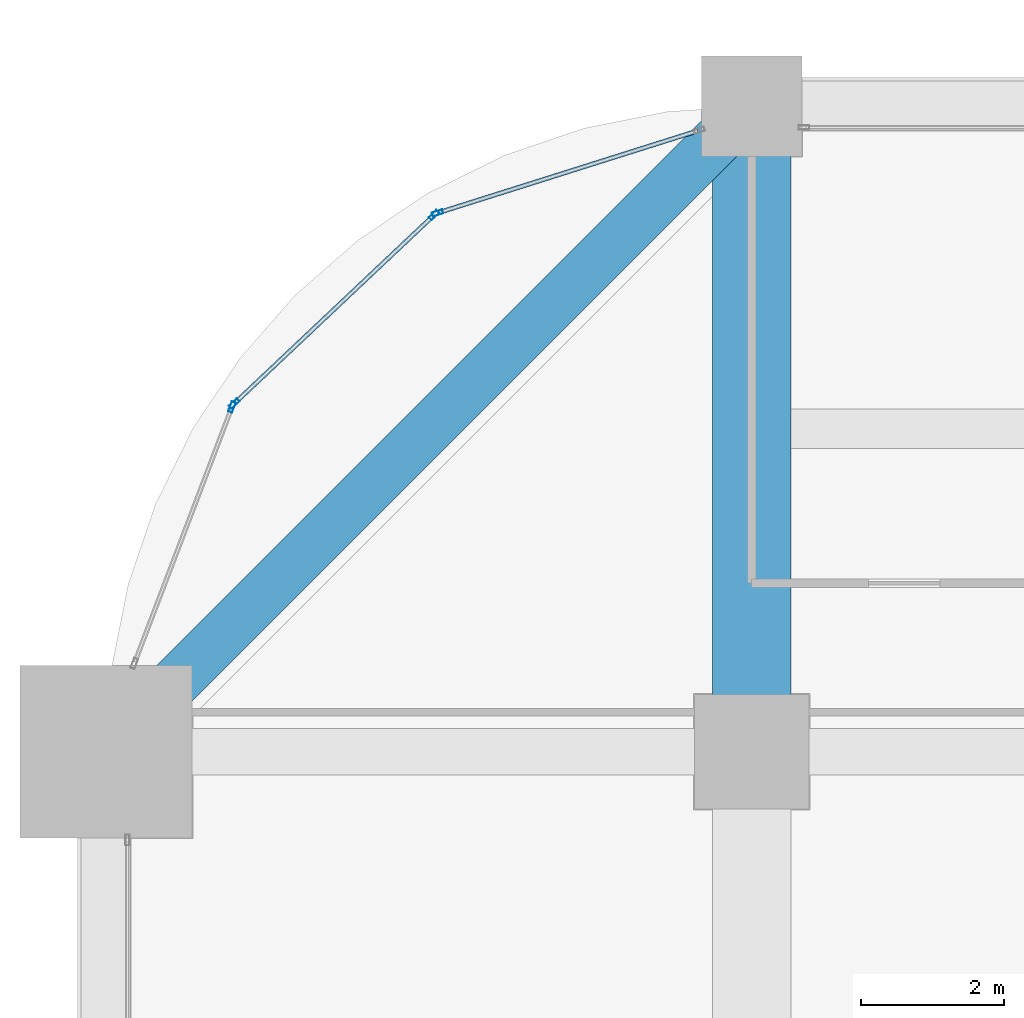
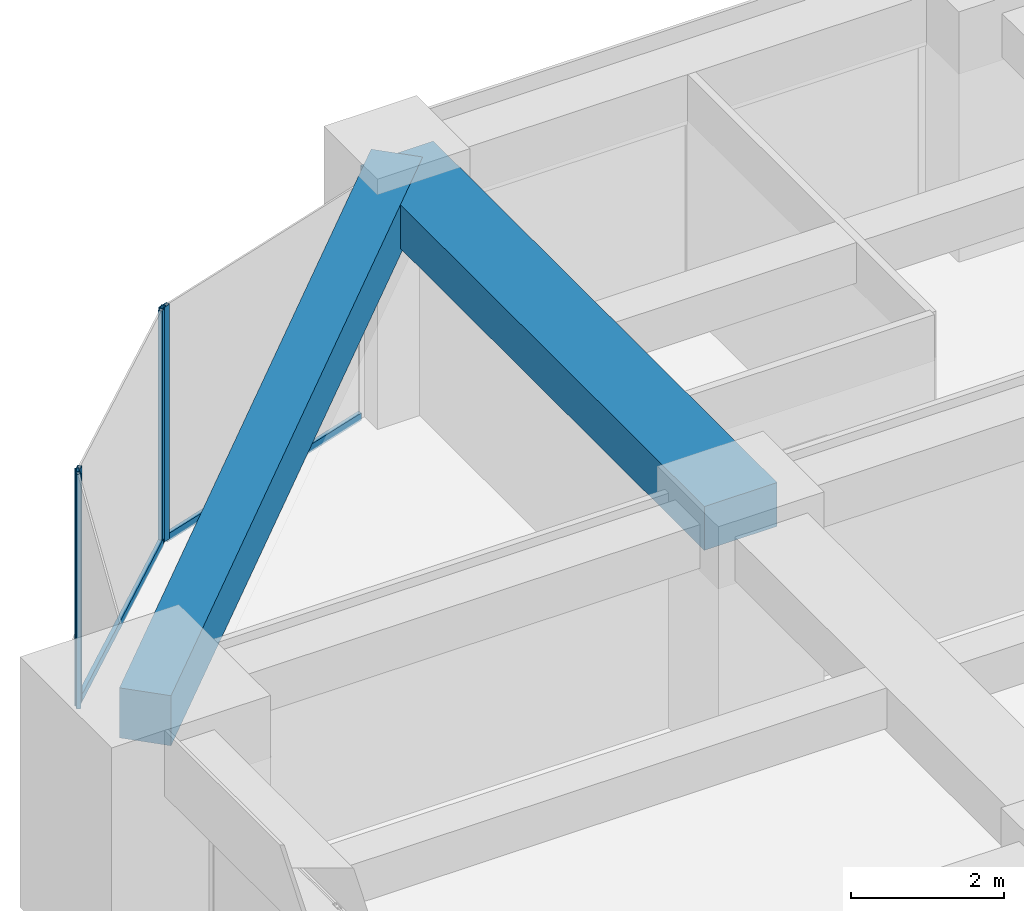
# One storey, part 22 of 33: 6 members, 2 beams, 3 elements without a shape of their own.
"""IFC4 building model written with IfcOpenShell, lengths in metres."""

import ifcopenshell
import ifcopenshell.guid

model = None  # the IFC model being written
_history = None  # IfcOwnerHistory: only IFC2X3 demands one
_inside = {}  # id of a spatial element -> (the spatial element, [elements in it])
_under = {}  # id of a project, library or spatial element -> (it, [spatial elements below it])
_declared = {}  # id of a project -> (the project, [libraries it declares])
_typed = {}  # id of a type object -> (the type object, [elements of that type])
_made_of = {}  # id of a material, layer set ... -> (it, [elements and type objects made of it])


def new_model(schema):
    """Start an empty IFC model of exactly this schema.

    Asked for "IFC4X3", IfcOpenShell would pick the latest addendum, in which some entities
    have other attributes; the version numbers below select the first issue.
    IFC2X3 requires an IfcOwnerHistory on every rooted entity: one is made here for all.
    """
    global model, _history
    if schema == "IFC4X3":
        model = ifcopenshell.file(schema_version=(4, 3, 0, 0))
    else:
        model = ifcopenshell.file(schema=schema)
    _inside.clear()
    _under.clear()
    _declared.clear()
    _typed.clear()
    _made_of.clear()
    _history = None
    if model.schema == "IFC2X3":
        org = make("IfcOrganization", Name="unknown")
        user = make(
            "IfcPersonAndOrganization",
            ThePerson=make("IfcPerson", FamilyName="unknown"),
            TheOrganization=org,
        )
        app = make(
            "IfcApplication",
            ApplicationDeveloper=org,
            Version="unknown",
            ApplicationFullName="unknown",
            ApplicationIdentifier="unknown",
        )
        _history = make(
            "IfcOwnerHistory",
            OwningUser=user,
            OwningApplication=app,
            ChangeAction="ADDED",
            CreationDate=0,
        )
    return model


def make(cls, **values):
    """One entity of the class cls with the attributes given. An attribute that is None is left unset."""
    return model.create_entity(
        cls, **{name: value for name, value in values.items() if value is not None}
    )


def rooted(cls, **values):
    """An entity with a GlobalId (a new one), such as an element, a storey or a relation."""
    return make(cls, GlobalId=ifcopenshell.guid.new(), OwnerHistory=_history, **values)


def si_unit(unit_type, name, prefix=None):
    """IfcSIUnit, for example si_unit("LENGTHUNIT", "METRE", prefix="MILLI")."""
    return make("IfcSIUnit", UnitType=unit_type, Prefix=prefix, Name=name)


def assignment(units):
    """IfcUnitAssignment: the units of a project."""
    return None if units is None else make("IfcUnitAssignment", Units=units)


def point(xyz):
    """IfcCartesianPoint."""
    return None if xyz is None else make("IfcCartesianPoint", Coordinates=xyz)


def direction(xyz):
    """IfcDirection."""
    return None if xyz is None else make("IfcDirection", DirectionRatios=xyz)


def frame(location, z_axis=None, x_axis=None):
    """IfcAxis2Placement3D, a coordinate frame: its origin and axes. An axis left out is left unset."""
    return make(
        "IfcAxis2Placement3D",
        Location=point(location),
        Axis=direction(z_axis),
        RefDirection=direction(x_axis),
    )


def frame_2d(location, x_axis=None):
    """IfcAxis2Placement2D, a coordinate frame in the plane: its origin and x axis."""
    return make(
        "IfcAxis2Placement2D", Location=point(location), RefDirection=direction(x_axis)
    )


def origin():
    """The frame at (0, 0, 0) with its axes left unset."""
    return frame((0.0, 0.0, 0.0))


def origin_2d():
    """The frame at (0, 0) in the plane with its x axis left unset."""
    return frame_2d((0.0, 0.0))


def place(relative_to, where):
    """IfcLocalPlacement: puts the frame where relative to a parent placement (None: the world)."""
    return make(
        "IfcLocalPlacement", PlacementRelTo=relative_to, RelativePlacement=where
    )


def context(
    kind, dimensions, precision=None, world=None, true_north=None, identifier=None
):
    """IfcGeometricRepresentationContext, for example the 3D "Model" context."""
    return make(
        "IfcGeometricRepresentationContext",
        ContextIdentifier=identifier,
        ContextType=kind,
        CoordinateSpaceDimension=dimensions,
        Precision=precision,
        WorldCoordinateSystem=world,
        TrueNorth=true_north,
    )


def subcontext(parent, identifier, kind, view, scale=None):
    """IfcGeometricRepresentationSubContext, for example "Body" below "Model"."""
    return make(
        "IfcGeometricRepresentationSubContext",
        ContextIdentifier=identifier,
        ContextType=kind,
        ParentContext=parent,
        TargetScale=scale,
        TargetView=view,
    )


def project(units=None, contexts=None):
    """IfcProject with its units and contexts."""
    return rooted(
        "IfcProject",
        Name="project",
        RepresentationContexts=contexts,
        UnitsInContext=assignment(units),
    )


def spatial(cls, under=None, at=None, **own):
    """A site, building, storey or space (cls), placed at a placement, below another one or the project."""
    s = rooted(cls, ObjectPlacement=at, **own)
    if under is not None:
        _under.setdefault(under.id(), (under, []))[1].append(s)
    return s


def profile(cls, at=None, kind="AREA", **sizes):
    """A parametric profile (cls). Its sizes go by their IFC names, for example OverallWidth=200.0."""
    return make(cls, ProfileType=kind, Position=at, **sizes)


def rectangle(**sizes):
    """IfcRectangleProfileDef."""
    return profile("IfcRectangleProfileDef", **sizes)


def hollow_rectangle(**sizes):
    """IfcRectangleHollowProfileDef."""
    return profile("IfcRectangleHollowProfileDef", **sizes)


def extrude(swept, where, along, depth):
    """IfcExtrudedAreaSolid: the profile swept, set in the frame where, extruded along a direction by depth."""
    return make(
        "IfcExtrudedAreaSolid",
        SweptArea=swept,
        Position=where,
        ExtrudedDirection=direction(along),
        Depth=depth,
    )


def shape(context_of_items, identifier, shape_type, items):
    """IfcShapeRepresentation: the items that make up one representation, for example the "Body"."""
    return make(
        "IfcShapeRepresentation",
        ContextOfItems=context_of_items,
        RepresentationIdentifier=identifier,
        RepresentationType=shape_type,
        Items=items,
    )


def material(Name=None, Category=None):
    """IfcMaterial."""
    return make("IfcMaterial", Name=Name, Category=Category)


def material_profile(
    of_material, cross_section, Name=None, Category=None, Priority=None
):
    """IfcMaterialProfile: a cross section and its material."""
    return make(
        "IfcMaterialProfile",
        Name=Name,
        Material=of_material,
        Profile=cross_section,
        Priority=Priority,
        Category=Category,
    )


def profile_set(profiles, Name=None, composite=None):
    """IfcMaterialProfileSet."""
    return make(
        "IfcMaterialProfileSet",
        Name=Name,
        MaterialProfiles=profiles,
        CompositeProfile=composite,
    )


def made_of(thing, what):
    """Note that an element or type object is made of a material, layer set ...; save() writes the relation."""
    if what is not None:
        _made_of.setdefault(what.id(), (what, []))[1].append(thing)
    return thing


def type_object(cls, material=None, **own):
    """A type object (cls), such as IfcWallType, which elements share."""
    return made_of(rooted(cls, **own), material)


def element(
    cls,
    number,
    at=None,
    inside=None,
    cuts=None,
    type_object=None,
    material=None,
    context=None,
    identifier="Body",
    shape_type=None,
    held_by="IfcProductDefinitionShape",
    body=None,
    shapes=None,
    **own,
):
    """One element of the class cls, such as IfcWall. Its Tag is "e" and its number.

    at: its placement. inside: the storey or other place that contains it. cuts: it is an
    opening in that element (IfcRelVoidsElement). A single representation is given by context,
    identifier, shape_type and body (its items); several are given by shapes. held_by: the class
    of the entity that holds the representations. save() writes the other relations.
    """
    e = rooted(cls, Tag="e%d" % number, ObjectPlacement=at, **own)
    if body is not None:
        shapes = [shape(context, identifier, shape_type, body)]
    if shapes is not None:
        e.Representation = make(held_by, Representations=shapes)
    if inside is not None:
        _inside.setdefault(inside.id(), (inside, []))[1].append(e)
    if cuts is not None:
        rooted(
            "IfcRelVoidsElement", RelatingBuildingElement=cuts, RelatedOpeningElement=e
        )
    if type_object is not None:
        _typed.setdefault(type_object.id(), (type_object, []))[1].append(e)
    return made_of(e, material)


def aggregate(whole, parts):
    """IfcRelAggregates: a whole, such as a stair, and the parts it consists of."""
    return rooted("IfcRelAggregates", RelatingObject=whole, RelatedObjects=parts)


def save(model, path):
    """Write the relations noted so far, then the file.

    IfcRelAggregates (storeys below a building ...), IfcRelContainedInSpatialStructure (elements
    in a storey), IfcRelDefinesByType, IfcRelAssociatesMaterial and IfcRelDeclares: one each for
    every whole, place, type object, material and project.
    """
    for whole, parts in _under.values():
        aggregate(whole, parts)
    for where, things in _inside.values():
        rooted(
            "IfcRelContainedInSpatialStructure",
            RelatedElements=things,
            RelatingStructure=where,
        )
    for kind, things in _typed.values():
        rooted("IfcRelDefinesByType", RelatedObjects=things, RelatingType=kind)
    for what, things in _made_of.values():
        rooted("IfcRelAssociatesMaterial", RelatedObjects=things, RelatingMaterial=what)
    for by, libraries in _declared.values():
        rooted("IfcRelDeclares", RelatingContext=by, RelatedDefinitions=libraries)
    model.write(path)


model = new_model("IFC4")

# Units and contexts
model_context = context("Model", 3, precision=1e-05, world=origin(), true_north=direction((0.0, 1.0)))
body_context = subcontext(model_context, "Body", "Model", "MODEL_VIEW")
ifc_project = project(units=[si_unit("LENGTHUNIT", "METRE"), si_unit("AREAUNIT", "SQUARE_METRE"), si_unit("VOLUMEUNIT", "CUBIC_METRE"), si_unit("PLANEANGLEUNIT", "RADIAN"), si_unit("MASSUNIT", "GRAM", prefix="KILO")], contexts=[model_context])

# Site, building, storey
site_placement = place(None, origin())
site = spatial("IfcSite", under=ifc_project, at=site_placement, CompositionType="ELEMENT")
building_placement = place(site_placement, origin())
building = spatial("IfcBuilding", under=site, at=building_placement, Name="Zorevar Civic Tower", CompositionType="ELEMENT")
storey_placement = place(building_placement, frame((0.0, 0.0, 194.199951171875)))
storey = spatial("IfcBuildingStorey", under=building, at=storey_placement, Name="L47", CompositionType="ELEMENT", Elevation=194.199951171875)

# Beam
ifc_material_1 = material(Name="Concrete C50/60", Category="concrete")
ifc_material_profile_1 = material_profile(ifc_material_1, rectangle(XDim=1.10009765625, YDim=0.699951171875, at=origin_2d()), Name="RC 1100x700")
ifc_profile_set_1 = profile_set([ifc_material_profile_1], Name="Concrete C50/60")
beam_type_1 = type_object("IfcBeamType", Name="Beam RC 1100x700", PredefinedType="BEAM", material=ifc_profile_set_1)
beam_1_placement = place(storey_placement, frame((9.0, 36.0, 3.400146484375), z_axis=(0.0, 1.0, 0.0), x_axis=(-1.0, 0.0, 0.0)))
element("IfcBeam", 1, at=beam_1_placement, inside=storey, type_object=beam_type_1, Name="Girder L48", PredefinedType="BEAM", context=body_context, shape_type="SweptSolid", body=[
    extrude(rectangle(XDim=1.10009765625, YDim=0.699951171875, at=origin_2d()), origin(), (0.0, 0.0, 1.0), 9.0),
])

# Curtain wall, member
ifc_material_2 = material(Name="Dark grey solar-control glass in black aluminium frame", Category="aluminium")
curtain_wall_type = type_object("IfcCurtainWallType", Name="Curtain wall CW4 high zone", PredefinedType="NOTDEFINED", material=ifc_material_2)
curtain_wall_1_placement = place(storey_placement, origin())
curtain_wall_1 = element("IfcCurtainWall", 2, at=curtain_wall_1_placement, inside=storey, type_object=curtain_wall_type, Name="CW4 L47", PredefinedType="NOTDEFINED")
ifc_material_3 = material(Name="Aluminium, black anodised", Category="aluminium")
ifc_material_profile_2 = material_profile(ifc_material_3, hollow_rectangle(XDim=0.06005859375, YDim=0.14990234375, WallThickness=0.00390625, at=origin_2d()), Name="AL 150x60x4")
ifc_profile_set_2 = profile_set([ifc_material_profile_2], Name="Aluminium, black anodised")
member_type_1 = type_object("IfcMemberType", Name="CW4 mullion AL 150x60x4", PredefinedType="MULLION", material=ifc_profile_set_2)
member_1_placement = place(storey_placement, frame((4.62158203125, 43.51025390625, 0.0), z_axis=(0.0, 0.0, 1.0), x_axis=(0.301108296077, -0.953589950678, 0.0)))
member_1 = element("IfcMember", 3, at=member_1_placement, type_object=member_type_1, Name="CW4 mullion 2", PredefinedType="MULLION", context=body_context, shape_type="SweptSolid", body=[
    extrude(hollow_rectangle(XDim=0.06005859375, YDim=0.14990234375, WallThickness=0.00390625, at=origin_2d()), origin(), (0.0, 0.0, 1.0), 3.75),
])

# Curtain wall, members
curtain_wall_2_placement = place(storey_placement, origin())
curtain_wall_2 = element("IfcCurtainWall", 4, at=curtain_wall_2_placement, inside=storey, type_object=curtain_wall_type, Name="CW4 L47", PredefinedType="NOTDEFINED")
member_2_placement = place(storey_placement, frame((4.5712890625, 43.480712890625, 0.0), z_axis=(0.0, 0.0, 1.0), x_axis=(0.686377907265, -0.727245053898, 0.0)))
member_2 = element("IfcMember", 5, at=member_2_placement, type_object=member_type_1, Name="CW4 mullion 1", PredefinedType="MULLION", context=body_context, shape_type="SweptSolid", body=[
    extrude(hollow_rectangle(XDim=0.06005859375, YDim=0.14990234375, WallThickness=0.00390625, at=origin_2d()), origin(), (0.0, 0.0, 1.0), 3.75),
])
member_3_placement = place(storey_placement, frame((1.787841796875, 40.853759765625, 0.0), z_axis=(0.0, 0.0, 1.0), x_axis=(0.686377907265, -0.727245053898, 0.0)))
member_3 = element("IfcMember", 6, at=member_3_placement, type_object=member_type_1, Name="CW4 mullion 2", PredefinedType="MULLION", context=body_context, shape_type="SweptSolid", body=[
    extrude(hollow_rectangle(XDim=0.06005859375, YDim=0.14990234375, WallThickness=0.00390625, at=origin_2d()), origin(), (0.0, 0.0, 1.0), 3.75),
])

# Curtain wall, member
curtain_wall_3_placement = place(storey_placement, origin())
curtain_wall_3 = element("IfcCurtainWall", 7, at=curtain_wall_3_placement, inside=storey, type_object=curtain_wall_type, Name="CW4 L47", PredefinedType="NOTDEFINED")
member_4_placement = place(storey_placement, frame((1.75537109375, 40.804931640625, 0.0), z_axis=(0.0, 0.0, 1.0), x_axis=(0.93458842801, -0.355730895803, 0.0)))
member_4 = element("IfcMember", 8, at=member_4_placement, type_object=member_type_1, Name="CW4 mullion 1", PredefinedType="MULLION", context=body_context, shape_type="SweptSolid", body=[
    extrude(hollow_rectangle(XDim=0.06005859375, YDim=0.14990234375, WallThickness=0.00390625, at=origin_2d()), origin(), (0.0, 0.0, 1.0), 3.75),
])
aggregate(curtain_wall_3, [member_4])

# Member
ifc_material_4 = material(Name="Aluminium, black anodised", Category="aluminium")
ifc_material_profile_3 = material_profile(ifc_material_4, hollow_rectangle(XDim=0.06005859375, YDim=0.1201171875, WallThickness=0.0029296875, at=origin_2d()), Name="AL 120x60x3")
ifc_profile_set_3 = profile_set([ifc_material_profile_3], Name="Aluminium, black anodised")
member_type_2 = type_object("IfcMemberType", Name="CW4 transom AL 120x60x3", PredefinedType="USERDEFINED", material=ifc_profile_set_3)
member_5_placement = place(storey_placement, frame((8.24267578125, 44.653564453125, 0.030029296875), z_axis=(-0.953592459367, -0.301100351109, 0.0), x_axis=(0.301100351109, -0.953592459367, 0.0)))
member_5 = element("IfcMember", 9, at=member_5_placement, type_object=member_type_2, Name="CW4 sill transom", ObjectType="TRANSOM", PredefinedType="USERDEFINED", context=body_context, shape_type="SweptSolid", body=[
    extrude(hollow_rectangle(XDim=0.06005859375, YDim=0.1201171875, WallThickness=0.0029296875, at=origin_2d()), origin(), (0.0, 0.0, 1.0), 3.76708984375),
])

aggregate(curtain_wall_1, [member_1, member_5])

member_6_placement = place(storey_placement, frame((4.549560546875, 43.4599609375, 0.030029296875), z_axis=(-0.727288059227, -0.686332338526, 0.0), x_axis=(0.686332338526, -0.727288059227, 0.0)))
member_6 = element("IfcMember", 10, at=member_6_placement, type_object=member_type_2, Name="CW4 sill transom", ObjectType="TRANSOM", PredefinedType="USERDEFINED", context=body_context, shape_type="SweptSolid", body=[
    extrude(hollow_rectangle(XDim=0.06005859375, YDim=0.1201171875, WallThickness=0.0029296875, at=origin_2d()), origin(), (0.0, 0.0, 1.0), 3.767333984375),
])

aggregate(curtain_wall_2, [member_2, member_3, member_6])

# Beam
ifc_material_5 = material(Name="Concrete C50/60", Category="concrete")
ifc_material_profile_4 = material_profile(ifc_material_5, rectangle(XDim=0.699951171875, YDim=0.800048828125, at=origin_2d()), Name="RC 700x800")
ifc_profile_set_4 = profile_set([ifc_material_profile_4], Name="Concrete C50/60")
beam_type_2 = type_object("IfcBeamType", Name="Edge beam RC 700x800", PredefinedType="SPANDREL", material=ifc_profile_set_4)
beam_2_placement = place(storey_placement, frame((9.0, 45.0, 3.35009765625), z_axis=(-0.707106781187, -0.707106781187, 0.0), x_axis=(0.707106781187, -0.707106781187, 0.0)))
element("IfcBeam", 11, at=beam_2_placement, inside=storey, type_object=beam_type_2, Name="Corner edge beam L48", PredefinedType="SPANDREL", context=body_context, shape_type="SweptSolid", body=[
    extrude(rectangle(XDim=0.699951171875, YDim=0.800048828125, at=origin_2d()), origin(), (0.0, 0.0, 1.0), 12.72802734375),
])

save(model, "model.ifc")
